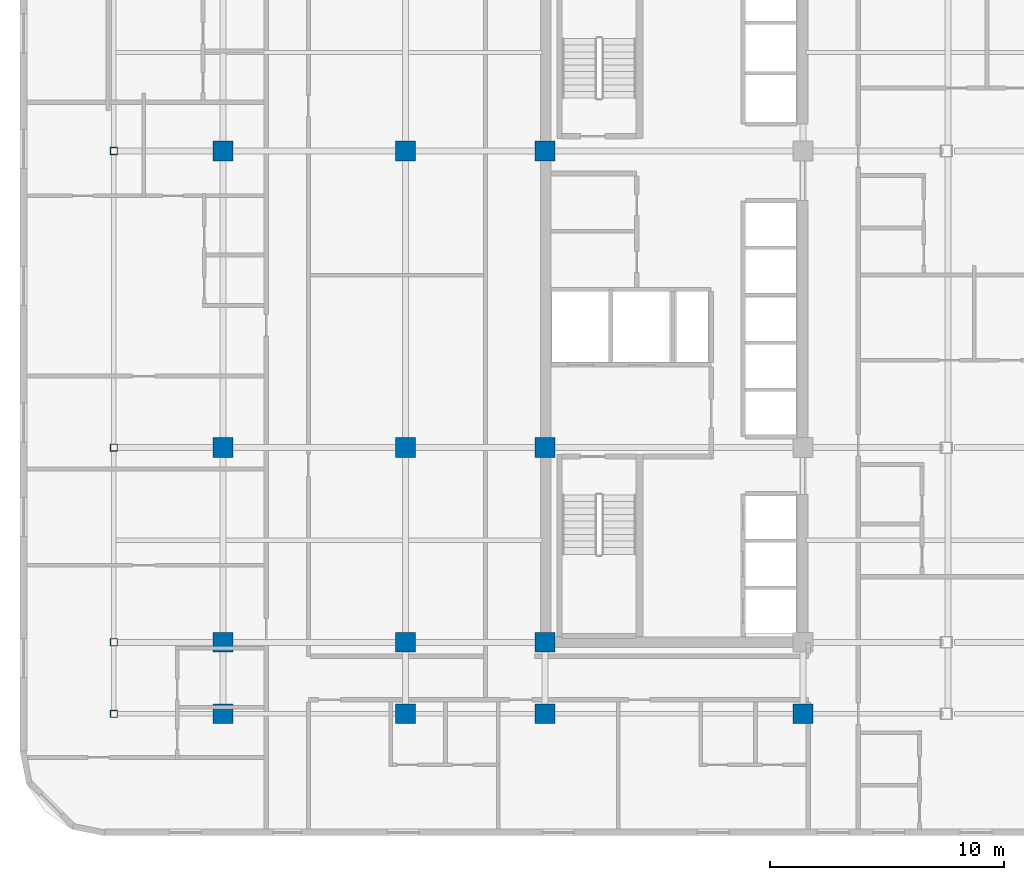
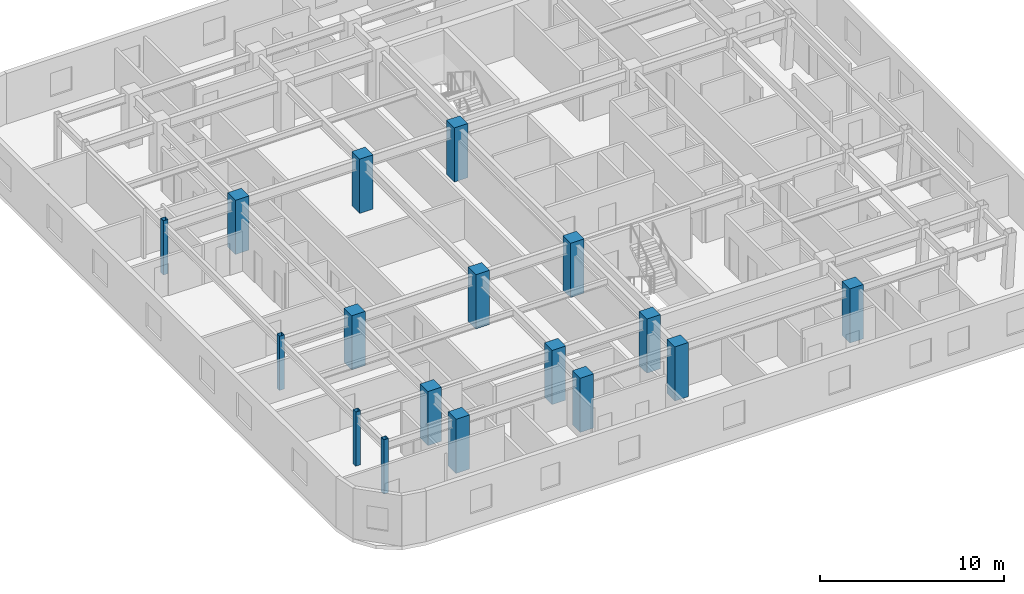
# One storey, part 1 of 12: 17 columns.
"""IFC4 building model written with IfcOpenShell, lengths in metres."""

from ifc_helpers import new_model, si_unit, direction, frame, origin, origin_2d, place, context, subcontext, project, spatial, rectangle, hollow_rectangle, extrude, material, material_profile, profile_set, type_object, element, save


model = new_model("IFC4")

# Units and contexts
model_context = context("Model", 3, precision=1e-05, world=origin(), true_north=direction((0.0, 1.0)))
body_context = subcontext(model_context, "Body", "Model", "MODEL_VIEW")
ifc_project = project(units=[si_unit("LENGTHUNIT", "METRE"), si_unit("AREAUNIT", "SQUARE_METRE"), si_unit("VOLUMEUNIT", "CUBIC_METRE"), si_unit("PLANEANGLEUNIT", "RADIAN"), si_unit("MASSUNIT", "GRAM", prefix="KILO")], contexts=[model_context])

# Site, building, storey
site_placement = place(None, origin())
site = spatial("IfcSite", under=ifc_project, at=site_placement, CompositionType="ELEMENT")
building_placement = place(site_placement, origin())
building = spatial("IfcBuilding", under=site, at=building_placement, Name="Ochreholt Gables", CompositionType="ELEMENT")
storey_placement = place(building_placement, frame((0.0, 0.0, 38.39990234375)))
storey = spatial("IfcBuildingStorey", under=building, at=storey_placement, Name="L09", CompositionType="ELEMENT", Elevation=38.39990234375)

# Columns
ifc_material_1 = material(Name="Steel CSA G40.21 350W", Category="steel")
ifc_material_profile_1 = material_profile(ifc_material_1, hollow_rectangle(XDim=0.304931640625, YDim=0.304931640625, WallThickness=0.0126953125, at=origin_2d()), Name="HSS305X305X13")
ifc_profile_set_1 = profile_set([ifc_material_profile_1], Name="Steel CSA G40.21 350W")
column_type_1 = type_object("IfcColumnType", Name="COL-HSS305-EXT", PredefinedType="COLUMN", material=ifc_profile_set_1)
for number, where, z_axis, x_axis, name in (
    (1, (5.800048828125, 6.199951171875, 0.0), (0.0, 0.0, 1.0), (1.0, 0.0, 0.0), "L09 Column WTY1"),
    (2, (5.800048828125, 9.25, 0.0), (0.0, 0.0, 1.0), (1.0, 0.0, 0.0), "L09 Column WTY2"),
    (3, (5.800048828125, 17.550048828125, 0.0), (0.0, 0.0, 1.0), (1.0, 0.0, 0.0), "L09 Column WTY3"),
    (4, (5.800048828125, 30.199951171875, 0.0), (0.0, 0.0, 1.0), (1.0, 0.0, 0.0), "L09 Column WTY4"),
):
    element("IfcColumn", number, at=place(storey_placement, frame(where, z_axis=z_axis, x_axis=x_axis)), inside=storey, type_object=column_type_1, Name=name, PredefinedType="COLUMN", context=body_context, shape_type="SweptSolid", body=[
        extrude(hollow_rectangle(XDim=0.304931640625, YDim=0.304931640625, WallThickness=0.0126953125, at=origin_2d()), origin(), (0.0, 0.0, 1.0), 3.60009765625),
    ])
ifc_material_2 = material(Name="Concrete 60 MPa", Category="concrete")
ifc_material_profile_2 = material_profile(ifc_material_2, rectangle(XDim=0.85009765625, YDim=0.85009765625, at=origin_2d()), Name="RC850X850")
ifc_profile_set_2 = profile_set([ifc_material_profile_2], Name="Concrete 60 MPa")
column_type_2 = type_object("IfcColumnType", Name="COL-RC850-EXT", PredefinedType="COLUMN", material=ifc_profile_set_2)
for number, where, z_axis, x_axis, name in (
    (5, (10.449951171875, 6.199951171875, 0.0), (0.0, 0.0, 1.0), (1.0, 0.0, 0.0), "L09 Column W2Y1"),
    (6, (18.25, 6.199951171875, 0.0), (0.0, 0.0, 1.0), (1.0, 0.0, 0.0), "L09 Column W3Y1"),
    (7, (24.199951171875, 6.199951171875, 0.0), (0.0, 0.0, 1.0), (1.0, 0.0, 0.0), "L09 Column C1Y1"),
    (8, (35.199951171875, 6.199951171875, 0.0), (0.0, 0.0, 1.0), (1.0, 0.0, 0.0), "L09 Column C2Y1"),
):
    element("IfcColumn", number, at=place(storey_placement, frame(where, z_axis=z_axis, x_axis=x_axis)), inside=storey, type_object=column_type_2, Name=name, PredefinedType="COLUMN", context=body_context, shape_type="SweptSolid", body=[
        extrude(rectangle(XDim=0.85009765625, YDim=0.85009765625, at=origin_2d()), origin(), (0.0, 0.0, 1.0), 3.60009765625),
    ])
ifc_material_profile_3 = material_profile(ifc_material_2, rectangle(XDim=0.85009765625, YDim=0.85009765625, at=origin_2d()), Name="RC850X850")
ifc_profile_set_3 = profile_set([ifc_material_profile_3], Name="Concrete 60 MPa")
column_type_3 = type_object("IfcColumnType", Name="COL-RC850-INT", PredefinedType="COLUMN", material=ifc_profile_set_3)
for number, where, z_axis, x_axis, name in (
    (9, (10.449951171875, 9.25, 0.0), (0.0, 0.0, 1.0), (1.0, 0.0, 0.0), "L09 Column W2Y2"),
    (10, (10.449951171875, 17.550048828125, 0.0), (0.0, 0.0, 1.0), (1.0, 0.0, 0.0), "L09 Column W2Y3"),
    (11, (10.449951171875, 30.199951171875, 0.0), (0.0, 0.0, 1.0), (1.0, 0.0, 0.0), "L09 Column W2Y4"),
    (12, (18.25, 9.25, 0.0), (0.0, 0.0, 1.0), (1.0, 0.0, 0.0), "L09 Column W3Y2"),
    (13, (18.25, 17.550048828125, 0.0), (0.0, 0.0, 1.0), (1.0, 0.0, 0.0), "L09 Column W3Y3"),
    (14, (18.25, 30.199951171875, 0.0), (0.0, 0.0, 1.0), (1.0, 0.0, 0.0), "L09 Column W3Y4"),
    (15, (24.199951171875, 9.25, 0.0), (0.0, 0.0, 1.0), (1.0, 0.0, 0.0), "L09 Column C1Y2"),
    (16, (24.199951171875, 17.550048828125, 0.0), (0.0, 0.0, 1.0), (1.0, 0.0, 0.0), "L09 Column C1Y3"),
    (17, (24.199951171875, 30.199951171875, 0.0), (0.0, 0.0, 1.0), (1.0, 0.0, 0.0), "L09 Column C1Y4"),
):
    element("IfcColumn", number, at=place(storey_placement, frame(where, z_axis=z_axis, x_axis=x_axis)), inside=storey, type_object=column_type_3, Name=name, PredefinedType="COLUMN", context=body_context, shape_type="SweptSolid", body=[
        extrude(rectangle(XDim=0.85009765625, YDim=0.85009765625, at=origin_2d()), origin(), (0.0, 0.0, 1.0), 3.60009765625),
    ])

save(model, "model.ifc")
